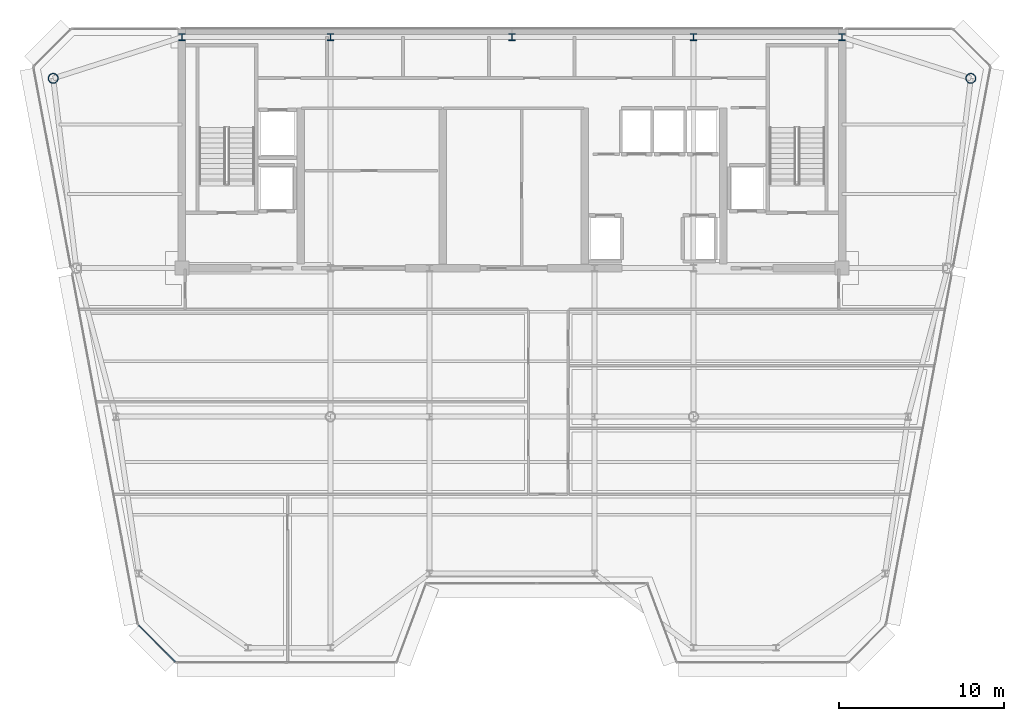
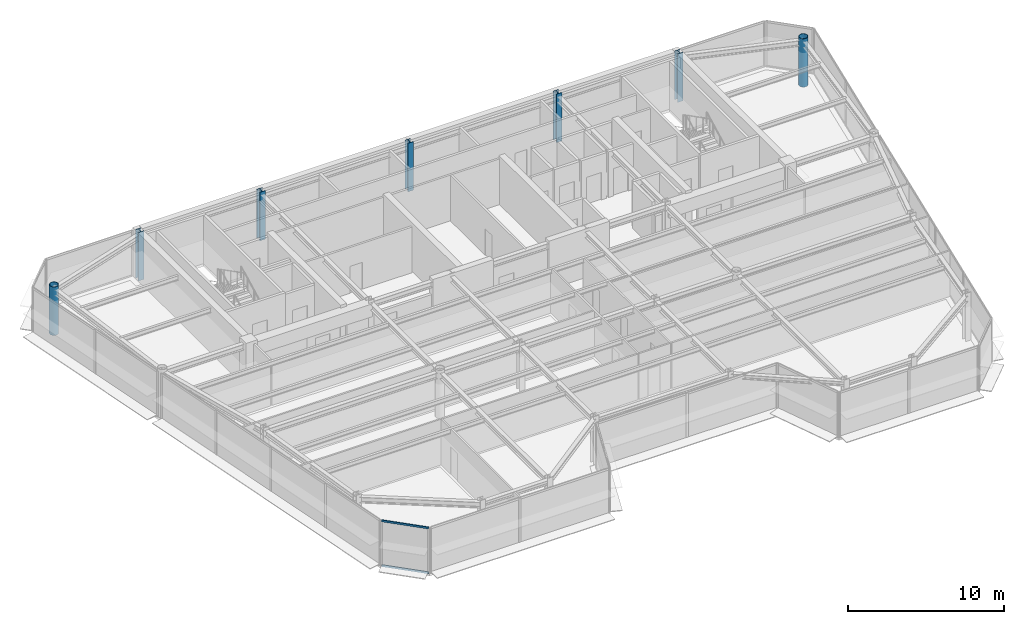
# One storey, part 2 of 20: 7 columns, 2 members, 1 element without a shape of its own.
"""IFC4 building model written with IfcOpenShell, lengths in metres."""

from ifc_helpers import new_model, si_unit, direction, frame, origin, origin_2d, place, context, subcontext, project, spatial, rectangle, hollow_circle, i_section, extrude, source, transform, mapped, material, layer, layer_set, material_profile, profile_set, type_object, element, aggregate, save


model = new_model("IFC4")

# Units and contexts
model_context = context("Model", 3, precision=1e-05, world=origin(), true_north=direction((0.0, 1.0)))
body_context = subcontext(model_context, "Body", "Model", "MODEL_VIEW")
ifc_project = project(units=[si_unit("LENGTHUNIT", "METRE"), si_unit("AREAUNIT", "SQUARE_METRE"), si_unit("VOLUMEUNIT", "CUBIC_METRE"), si_unit("PLANEANGLEUNIT", "RADIAN"), si_unit("MASSUNIT", "GRAM", prefix="KILO")], contexts=[model_context])

# Site, building, storey
site_placement = place(None, origin())
site = spatial("IfcSite", under=ifc_project, at=site_placement, CompositionType="ELEMENT")
building_placement = place(site_placement, origin())
building = spatial("IfcBuilding", under=site, at=building_placement, Name="Vaeldorn Concourse Tower", CompositionType="ELEMENT")
storey_placement = place(building_placement, frame((0.0, 0.0, 295.39990234375)))
storey = spatial("IfcBuildingStorey", under=building, at=storey_placement, Name="L76", CompositionType="ELEMENT", Elevation=295.39990234375)

# Columns
ifc_material_1 = material(Name="Steel S355", Category="steel")
ifc_material_profile_1 = material_profile(ifc_material_1, i_section(OverallWidth=0.406005859375, OverallDepth=0.416015625, WebThickness=0.02978515625, FlangeThickness=0.0419921875, FilletRadius=0.014892578125, at=origin_2d()), Name="HD 400x382")
ifc_profile_set_1 = profile_set([ifc_material_profile_1], Name="Steel S355")
column_type_1 = type_object("IfcColumnType", Name="COL-HD382", PredefinedType="COLUMN", material=ifc_profile_set_1)
shared_shape_1 = source(origin(), body_context, "Body", "SweptSolid", [
    extrude(i_section(OverallWidth=0.406005859375, OverallDepth=0.416015625, WebThickness=0.02978515625, FlangeThickness=0.0419921875, FilletRadius=0.014892578125, at=origin_2d()), origin(), (0.0, 0.0, 1.0), 3.800048828125),
])
for number, where, z_axis, x_axis, name in (
    (1, (14.0, 50.5, 0.0), (0.0, 0.0, 1.0), (1.0, 0.0, 0.0), "Column C-HC1 L76"),
    (2, (23.0, 50.5, 0.0), (0.0, 0.0, 1.0), (1.0, 0.0, 0.0), "Column C-HC2 L76"),
    (3, (34.0, 50.5, 0.0), (0.0, 0.0, 1.0), (1.0, 0.0, 0.0), "Column C-HC3 L76"),
    (4, (45.0, 50.5, 0.0), (0.0, 0.0, 1.0), (1.0, 0.0, 0.0), "Column C-HC4 L76"),
    (5, (54.0, 50.5, 0.0), (0.0, 0.0, 1.0), (1.0, 0.0, 0.0), "Column C-HC5 L76"),
):
    element("IfcColumn", number, at=place(storey_placement, frame(where, z_axis=z_axis, x_axis=x_axis)), inside=storey, type_object=column_type_1, Name=name, PredefinedType="COLUMN", context=body_context, shape_type="MappedRepresentation", body=[
        mapped(shared_shape_1, transform((0.0, 0.0, 0.0), scale=1.0)),
    ])
ifc_material_profile_2 = material_profile(ifc_material_1, hollow_circle(Radius=0.304931640625, WallThickness=0.030029296875, at=origin_2d()), Name="CHS 610x30")
ifc_profile_set_2 = profile_set([ifc_material_profile_2], Name="Steel S355")
column_type_2 = type_object("IfcColumnType", Name="COL-CHS610", PredefinedType="COLUMN", material=ifc_profile_set_2)
shared_shape_2 = source(origin(), body_context, "Body", "SweptSolid", [
    extrude(hollow_circle(Radius=0.304931640625, WallThickness=0.030029296875, at=origin_2d()), origin(), (0.0, 0.0, 1.0), 3.800048828125),
])
for number, where, z_axis, x_axis, name in (
    (6, (6.199951171875, 48.0, 0.0), (0.0, 0.0, 1.0), (1.0, 0.0, 0.0), "Column C-NW1 L76"),
    (7, (61.800048828125, 48.0, 0.0), (0.0, 0.0, 1.0), (1.0, 0.0, 0.0), "Column C-NE1 L76"),
):
    element("IfcColumn", number, at=place(storey_placement, frame(where, z_axis=z_axis, x_axis=x_axis)), inside=storey, type_object=column_type_2, Name=name, PredefinedType="COLUMN", context=body_context, shape_type="MappedRepresentation", body=[
        mapped(shared_shape_2, transform((0.0, 0.0, 0.0), scale=1.0)),
    ])

# Curtain wall, members
ifc_material_2 = material(Name="Anodised Bronze Aluminium", Category="aluminium")
ifc_layer = layer(ifc_material_2, 0.179931640625)
ifc_layer_set = layer_set([ifc_layer], Name="Anodised Bronze Aluminium")
curtain_wall_type = type_object("IfcCurtainWallType", Name="CW-SYS-05", PredefinedType="NOTDEFINED", material=ifc_layer_set)
curtain_wall_placement = place(storey_placement, origin())
curtain_wall = element("IfcCurtainWall", 8, at=curtain_wall_placement, inside=storey, type_object=curtain_wall_type, Name="Unitised Curtain Wall CW-L76-E12-1", PredefinedType="NOTDEFINED")
ifc_material_profile_3 = material_profile(ifc_material_2, rectangle(XDim=0.06494140625, YDim=0.14990234375, at=origin_2d()), Name="CWT 65x150")
ifc_profile_set_3 = profile_set([ifc_material_profile_3], Name="Anodised Bronze Aluminium")
member_type = type_object("IfcMemberType", Name="CWT-BRONZE-150", PredefinedType="USERDEFINED", material=ifc_profile_set_3)
shared_shape_3 = source(origin(), body_context, "Body", "SweptSolid", [
    extrude(rectangle(XDim=0.06494140625, YDim=0.14990234375, at=origin_2d()), origin(), (0.0, 0.0, 1.0), 3.12255859375),
])
member_1_placement = place(storey_placement, frame((11.382080078125, 14.85400390625, 0.03271484375), z_axis=(0.707106781187, -0.707106781187, 0.0), x_axis=(0.707106781187, 0.707106781187, 0.0)))
member_1 = element("IfcMember", 9, at=member_1_placement, type_object=member_type, Name="CW-05 transom 1.1", ObjectType="TRANSOM", PredefinedType="USERDEFINED", context=body_context, shape_type="MappedRepresentation", body=[
    mapped(shared_shape_3, transform((0.0, 0.0, 0.0), scale=1.0)),
])
member_2_placement = place(storey_placement, frame((11.382080078125, 14.85400390625, 3.547607421875), z_axis=(0.707106781187, -0.707106781187, 0.0), x_axis=(0.707106781187, 0.707106781187, 0.0)))
member_2 = element("IfcMember", 10, at=member_2_placement, type_object=member_type, Name="CW-05 transom 1.2", ObjectType="TRANSOM", PredefinedType="USERDEFINED", context=body_context, shape_type="MappedRepresentation", body=[
    mapped(shared_shape_3, transform((0.0, 0.0, 0.0), scale=1.0)),
])
aggregate(curtain_wall, [member_1, member_2])

save(model, "model.ifc")
